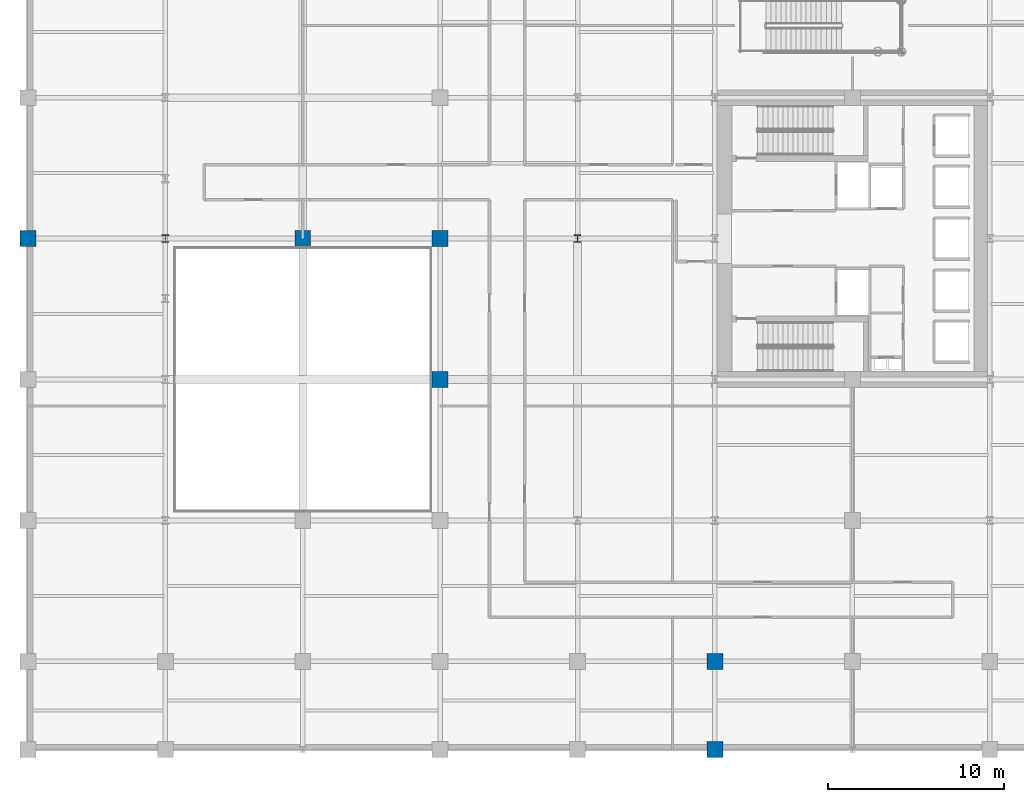
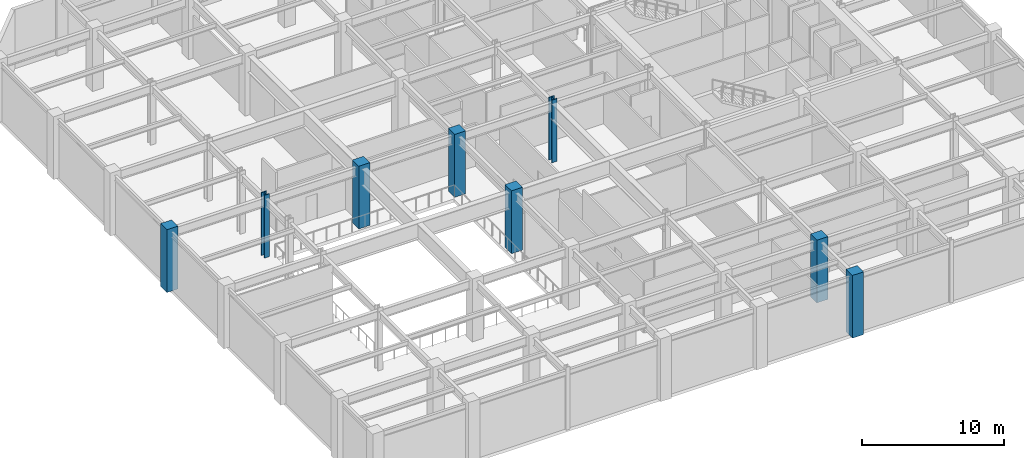
# One storey, part 2 of 13: 8 columns.
"""IFC4 building model written with IfcOpenShell, lengths in metres."""

from ifc_helpers import new_model, si_unit, direction, frame, origin, origin_2d, place, context, subcontext, project, spatial, rectangle, i_section, extrude, material, material_profile, profile_set, type_object, element, save


model = new_model("IFC4")

# Units and contexts
model_context = context("Model", 3, precision=1e-05, world=origin(), true_north=direction((0.0, 1.0)))
body_context = subcontext(model_context, "Body", "Model", "MODEL_VIEW")
ifc_project = project(units=[si_unit("LENGTHUNIT", "METRE"), si_unit("AREAUNIT", "SQUARE_METRE"), si_unit("VOLUMEUNIT", "CUBIC_METRE"), si_unit("PLANEANGLEUNIT", "RADIAN"), si_unit("MASSUNIT", "GRAM", prefix="KILO")], contexts=[model_context])

# Site, building, storey
site_placement = place(None, origin())
site = spatial("IfcSite", under=ifc_project, at=site_placement, CompositionType="ELEMENT")
building_placement = place(site_placement, origin())
building = spatial("IfcBuilding", under=site, at=building_placement, Name="Veymaron Broadcast Tower", CompositionType="ELEMENT")
storey_placement = place(building_placement, frame((0.0, 0.0, 21.60009765625)))
storey = spatial("IfcBuildingStorey", under=building, at=storey_placement, Name="L04", CompositionType="ELEMENT", Elevation=21.60009765625)

# Columns
ifc_material_1 = material(Name="Structural steel ASTM A913 Gr 65", Category="steel")
ifc_material_profile_1 = material_profile(ifc_material_1, i_section(OverallWidth=0.41796875, OverallDepth=0.455078125, WebThickness=0.0419921875, FlangeThickness=0.067626953125, at=origin_2d()), Name="W360X551")
ifc_profile_set_1 = profile_set([ifc_material_profile_1], Name="Structural steel ASTM A913 Gr 65")
column_type_1 = type_object("IfcColumnType", Name="COL-MC2", PredefinedType="COLUMN", material=ifc_profile_set_1)
for number, where, z_axis, x_axis, name in (
    (1, (7.800048828125, 24.0, 0.0), (0.0, 0.0, 1.0), (1.0, 0.0, 0.0), "L04 column (7.8, 24.0)"),
    (2, (31.199951171875, 24.0, 0.0), (0.0, 0.0, 1.0), (1.0, 0.0, 0.0), "L04 column (31.2, 24.0)"),
):
    element("IfcColumn", number, at=place(storey_placement, frame(where, z_axis=z_axis, x_axis=x_axis)), inside=storey, type_object=column_type_1, Name=name, PredefinedType="COLUMN", context=body_context, shape_type="SweptSolid", body=[
        extrude(i_section(OverallWidth=0.41796875, OverallDepth=0.455078125, WebThickness=0.0419921875, FlangeThickness=0.067626953125, at=origin_2d()), origin(), (0.0, 0.0, 1.0), 5.39501953125),
    ])
ifc_material_2 = material(Name="Concrete C50/60", Category="concrete")
ifc_material_profile_2 = material_profile(ifc_material_2, rectangle(XDim=0.89990234375, YDim=0.89990234375, at=origin_2d()), Name="RC900X900")
ifc_profile_set_2 = profile_set([ifc_material_profile_2], Name="Concrete C50/60")
column_type_2 = type_object("IfcColumnType", Name="COL-RC4", PredefinedType="COLUMN", material=ifc_profile_set_2)
for number, where, z_axis, x_axis, name in (
    (3, (0.0, 24.0, 0.0), (0.0, 0.0, 1.0), (1.0, 0.0, 0.0), "L04 column (0.0, 24.0)"),
    (4, (15.60009765625, 24.0, 0.0), (0.0, 0.0, 1.0), (1.0, 0.0, 0.0), "L04 column (15.6, 24.0)"),
    (5, (23.39990234375, 16.0, 0.0), (0.0, 0.0, 1.0), (1.0, 0.0, 0.0), "L04 column (23.4, 16.0)"),
    (6, (23.39990234375, 24.0, 0.0), (0.0, 0.0, 1.0), (1.0, 0.0, 0.0), "L04 column (23.4, 24.0)"),
    (7, (39.0, -5.0, 0.0), (0.0, 0.0, 1.0), (1.0, 0.0, 0.0), "L04 column (39.0, -5.0)"),
    (8, (39.0, 0.0, 0.0), (0.0, 0.0, 1.0), (1.0, 0.0, 0.0), "L04 column (39.0, 0.0)"),
):
    element("IfcColumn", number, at=place(storey_placement, frame(where, z_axis=z_axis, x_axis=x_axis)), inside=storey, type_object=column_type_2, Name=name, PredefinedType="COLUMN", context=body_context, shape_type="SweptSolid", body=[
        extrude(rectangle(XDim=0.89990234375, YDim=0.89990234375, at=origin_2d()), origin(), (0.0, 0.0, 1.0), 5.39501953125),
    ])

save(model, "model.ifc")
